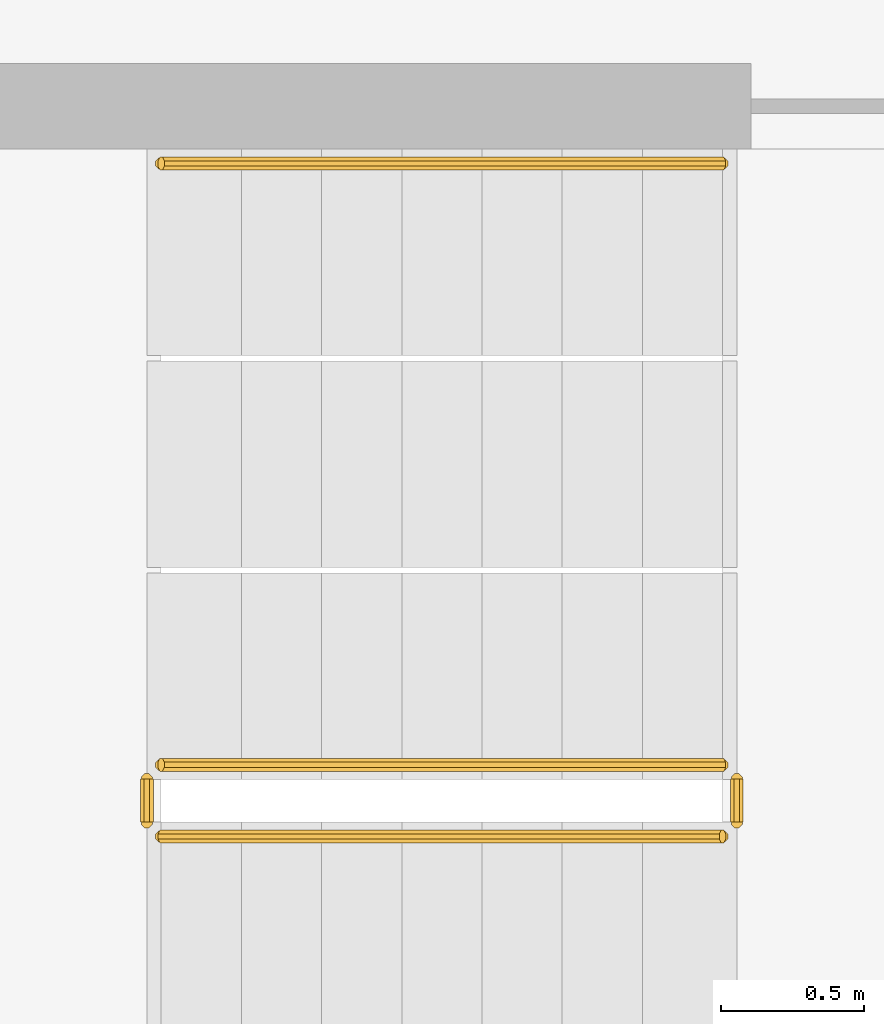
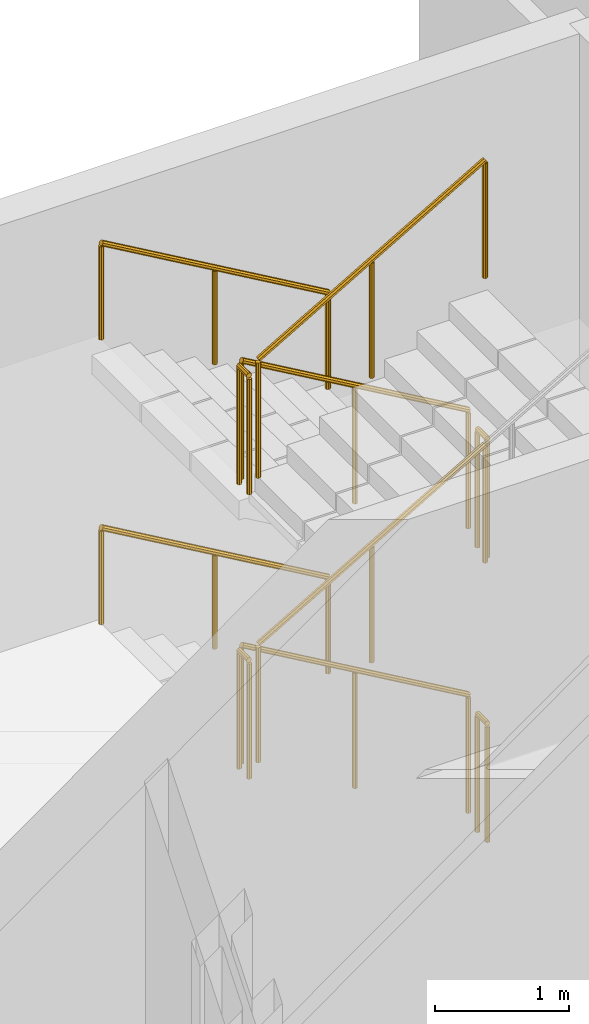
# One storey, part 20 of 30: 10 railings.
"""IFC4 building model written with IfcOpenShell, lengths in metres."""

from ifc_helpers import new_model, si_unit, direction, frame, origin, place, context, subcontext, project, spatial, polyline, outline, extrude, material, type_object, element, save


model = new_model("IFC4")

# Units and contexts
model_context = context("Model", 3, precision=1e-05, world=origin(), true_north=direction((0.0, 1.0)))
body_context = subcontext(model_context, "Body", "Model", "MODEL_VIEW")
ifc_project = project(units=[si_unit("LENGTHUNIT", "METRE"), si_unit("AREAUNIT", "SQUARE_METRE"), si_unit("VOLUMEUNIT", "CUBIC_METRE"), si_unit("PLANEANGLEUNIT", "RADIAN"), si_unit("MASSUNIT", "GRAM", prefix="KILO")], contexts=[model_context])

# Site, building, storey
site_placement = place(None, origin())
site = spatial("IfcSite", under=ifc_project, at=site_placement, CompositionType="ELEMENT")
building_placement = place(site_placement, origin())
building = spatial("IfcBuilding", under=site, at=building_placement, Name="Cormorant Relay Tower", CompositionType="ELEMENT")
storey_placement = place(building_placement, frame((0.0, 0.0, 7.0)))
storey = spatial("IfcBuildingStorey", under=building, at=storey_placement, Name="L01", CompositionType="ELEMENT", Elevation=7.0)

# Railings
ifc_material_1 = material(Name="Steel ASTM A572 Grade 50 (Fy 345 MPa)", Category="steel")
railing_type_1 = type_object("IfcRailingType", Name="Stair guard 1100", PredefinedType="GUARDRAIL", material=ifc_material_1)
railing_1_placement = place(storey_placement, frame((1.60009765625, -18.27490234375, 0.16259765625)))
element("IfcRailing", 1, at=railing_1_placement, inside=storey, type_object=railing_type_1, Name="L01 RK1 stair guard 1", PredefinedType="GUARDRAIL", context=body_context, shape_type="SweptSolid", body=[
    extrude(outline(polyline([(0.022216796875, 0.00927734375), (0.00927734375, 0.022216796875), (-0.00927734375, 0.022216796875), (-0.022216796875, 0.00927734375), (-0.022216796875, -0.00927734375), (-0.00927734375, -0.022216796875), (0.00927734375, -0.022216796875), (0.022216796875, -0.00927734375), (0.022216796875, 0.00927734375)])), frame((0.0, 0.0, 1.076171875), z_axis=(-0.864929249598, 0.0, 0.501893806686), x_axis=(0.0, -1.0, 0.0)), (0.0, 0.0, 1.0), 2.266357421875),
    extrude(outline(polyline([(0.019287109375, 0.008056640625), (0.008056640625, 0.019287109375), (-0.008056640625, 0.019287109375), (-0.019287109375, 0.008056640625), (-0.019287109375, -0.008056640625), (-0.008056640625, -0.019287109375), (0.008056640625, -0.019287109375), (0.019287109375, -0.008056640625), (0.019287109375, 0.008056640625)])), origin(), (0.0, 0.0, 1.0), 1.052001953125),
    extrude(outline(polyline([(0.019287109375, 0.008056640625), (0.008056640625, 0.019287109375), (-0.008056640625, 0.019287109375), (-0.019287109375, 0.008056640625), (-0.019287109375, -0.008056640625), (-0.008056640625, -0.019287109375), (0.008056640625, -0.019287109375), (0.019287109375, -0.008056640625), (0.019287109375, 0.008056640625)])), frame((-0.97998046875, 0.0, 0.56884765625)), (0.0, 0.0, 1.0), 1.052001953125),
    extrude(outline(polyline([(0.019287109375, 0.008056640625), (0.008056640625, 0.019287109375), (-0.008056640625, 0.019287109375), (-0.019287109375, 0.008056640625), (-0.019287109375, -0.008056640625), (-0.008056640625, -0.019287109375), (0.008056640625, -0.019287109375), (0.019287109375, -0.008056640625), (0.019287109375, 0.008056640625)])), frame((-1.960205078125, 0.0, 1.137451171875)), (0.0, 0.0, 1.0), 1.052001953125),
])
railing_2_placement = place(storey_placement, frame((-0.409912109375, -18.324951171875, 1.300048828125)))
element("IfcRailing", 2, at=railing_2_placement, inside=storey, type_object=railing_type_1, Name="L01 RK1 stair guard 2", PredefinedType="GUARDRAIL", context=body_context, shape_type="SweptSolid", body=[
    extrude(outline(polyline([(0.022216796875, 0.00927734375), (0.00927734375, 0.022216796875), (-0.00927734375, 0.022216796875), (-0.022216796875, 0.00927734375), (-0.022216796875, -0.00927734375), (-0.00927734375, -0.022216796875), (0.00927734375, -0.022216796875), (0.022216796875, -0.00927734375), (0.022216796875, 0.00927734375)])), frame((0.0, 0.0, 1.076171875), z_axis=(0.0, -1.0, 0.0), x_axis=(1.0, 0.0, 0.0)), (0.0, 0.0, 1.0), 0.150146484375),
    extrude(outline(polyline([(0.019287109375, 0.008056640625), (0.008056640625, 0.019287109375), (-0.008056640625, 0.019287109375), (-0.019287109375, 0.008056640625), (-0.019287109375, -0.008056640625), (-0.008056640625, -0.019287109375), (0.008056640625, -0.019287109375), (0.019287109375, -0.008056640625), (0.019287109375, 0.008056640625)])), origin(), (0.0, 0.0, 1.0), 1.052001953125),
    extrude(outline(polyline([(0.019287109375, 0.008056640625), (0.008056640625, 0.019287109375), (-0.008056640625, 0.019287109375), (-0.019287109375, 0.008056640625), (-0.019287109375, -0.008056640625), (-0.008056640625, -0.019287109375), (0.008056640625, -0.019287109375), (0.019287109375, -0.008056640625), (0.019287109375, 0.008056640625)])), frame((0.0, -0.150146484375, 0.0)), (0.0, 0.0, 1.0), 1.052001953125),
])
railing_3_placement = place(storey_placement, frame((-0.360107421875, -18.52490234375, 1.46240234375)))
element("IfcRailing", 3, at=railing_3_placement, inside=storey, type_object=railing_type_1, Name="L01 RK1 stair guard 3", PredefinedType="GUARDRAIL", context=body_context, shape_type="SweptSolid", body=[
    extrude(outline(polyline([(0.022216796875, 0.00927734375), (0.00927734375, 0.022216796875), (-0.00927734375, 0.022216796875), (-0.022216796875, 0.00927734375), (-0.022216796875, -0.00927734375), (-0.00927734375, -0.022216796875), (0.00927734375, -0.022216796875), (0.022216796875, -0.00927734375), (0.022216796875, 0.00927734375)])), frame((0.0, 0.0, 1.076171875), z_axis=(0.864882484384, 0.0, 0.50197438999), x_axis=(0.0, 1.0, 0.0)), (0.0, 0.0, 1.0), 2.266357421875),
    extrude(outline(polyline([(0.019287109375, 0.008056640625), (0.008056640625, 0.019287109375), (-0.008056640625, 0.019287109375), (-0.019287109375, 0.008056640625), (-0.019287109375, -0.008056640625), (-0.008056640625, -0.019287109375), (0.008056640625, -0.019287109375), (0.019287109375, -0.008056640625), (0.019287109375, 0.008056640625)])), origin(), (0.0, 0.0, 1.0), 1.052001953125),
    extrude(outline(polyline([(0.019287109375, 0.008056640625), (0.008056640625, 0.019287109375), (-0.008056640625, 0.019287109375), (-0.019287109375, 0.008056640625), (-0.019287109375, -0.008056640625), (-0.008056640625, -0.019287109375), (0.008056640625, -0.019287109375), (0.019287109375, -0.008056640625), (0.019287109375, 0.008056640625)])), frame((0.97998046875, 0.0, 0.56884765625)), (0.0, 0.0, 1.0), 1.052001953125),
    extrude(outline(polyline([(0.019287109375, 0.008056640625), (0.008056640625, 0.019287109375), (-0.008056640625, 0.019287109375), (-0.019287109375, 0.008056640625), (-0.019287109375, -0.008056640625), (-0.008056640625, -0.019287109375), (0.008056640625, -0.019287109375), (0.019287109375, -0.008056640625), (0.019287109375, 0.008056640625)])), frame((1.960205078125, 0.0, 1.1376953125)), (0.0, 0.0, 1.0), 1.052001953125),
])
railing_4_placement = place(storey_placement, frame((1.64990234375, -18.324951171875, 2.60009765625)))
element("IfcRailing", 4, at=railing_4_placement, inside=storey, type_object=railing_type_1, Name="L01 RK1 stair guard 4", PredefinedType="GUARDRAIL", context=body_context, shape_type="SweptSolid", body=[
    extrude(outline(polyline([(0.022216796875, 0.00927734375), (0.00927734375, 0.022216796875), (-0.00927734375, 0.022216796875), (-0.022216796875, 0.00927734375), (-0.022216796875, -0.00927734375), (-0.00927734375, -0.022216796875), (0.00927734375, -0.022216796875), (0.022216796875, -0.00927734375), (0.022216796875, 0.00927734375)])), frame((0.0, 0.0, 1.076171875), z_axis=(0.0, -1.0, 0.0), x_axis=(1.0, 0.0, 0.0)), (0.0, 0.0, 1.0), 0.150146484375),
    extrude(outline(polyline([(0.019287109375, 0.008056640625), (0.008056640625, 0.019287109375), (-0.008056640625, 0.019287109375), (-0.019287109375, 0.008056640625), (-0.019287109375, -0.008056640625), (-0.008056640625, -0.019287109375), (0.008056640625, -0.019287109375), (0.019287109375, -0.008056640625), (0.019287109375, 0.008056640625)])), origin(), (0.0, 0.0, 1.0), 1.052001953125),
    extrude(outline(polyline([(0.019287109375, 0.008056640625), (0.008056640625, 0.019287109375), (-0.008056640625, 0.019287109375), (-0.019287109375, 0.008056640625), (-0.019287109375, -0.008056640625), (-0.008056640625, -0.019287109375), (0.008056640625, -0.019287109375), (0.019287109375, -0.008056640625), (0.019287109375, 0.008056640625)])), frame((0.0, -0.150146484375, 0.0)), (0.0, 0.0, 1.0), 1.052001953125),
])
railing_5_placement = place(storey_placement, frame((1.60009765625, -18.27490234375, 2.762451171875)))
element("IfcRailing", 5, at=railing_5_placement, inside=storey, type_object=railing_type_1, Name="L01 RK1 stair guard 5", PredefinedType="GUARDRAIL", context=body_context, shape_type="SweptSolid", body=[
    extrude(outline(polyline([(0.022216796875, 0.00927734375), (0.00927734375, 0.022216796875), (-0.00927734375, 0.022216796875), (-0.022216796875, 0.00927734375), (-0.022216796875, -0.00927734375), (-0.00927734375, -0.022216796875), (0.00927734375, -0.022216796875), (0.022216796875, -0.00927734375), (0.022216796875, 0.00927734375)])), frame((0.0, 0.0, 1.076171875), z_axis=(-0.864929249598, 0.0, 0.501893806686), x_axis=(0.0, -1.0, 0.0)), (0.0, 0.0, 1.0), 2.266357421875),
    extrude(outline(polyline([(0.019287109375, 0.008056640625), (0.008056640625, 0.019287109375), (-0.008056640625, 0.019287109375), (-0.019287109375, 0.008056640625), (-0.019287109375, -0.008056640625), (-0.008056640625, -0.019287109375), (0.008056640625, -0.019287109375), (0.019287109375, -0.008056640625), (0.019287109375, 0.008056640625)])), origin(), (0.0, 0.0, 1.0), 1.052001953125),
    extrude(outline(polyline([(0.019287109375, 0.008056640625), (0.008056640625, 0.019287109375), (-0.008056640625, 0.019287109375), (-0.019287109375, 0.008056640625), (-0.019287109375, -0.008056640625), (-0.008056640625, -0.019287109375), (0.008056640625, -0.019287109375), (0.019287109375, -0.008056640625), (0.019287109375, 0.008056640625)])), frame((-0.97998046875, 0.0, 0.56884765625)), (0.0, 0.0, 1.0), 1.052001953125),
    extrude(outline(polyline([(0.019287109375, 0.008056640625), (0.008056640625, 0.019287109375), (-0.008056640625, 0.019287109375), (-0.019287109375, 0.008056640625), (-0.019287109375, -0.008056640625), (-0.008056640625, -0.019287109375), (0.008056640625, -0.019287109375), (0.019287109375, -0.008056640625), (0.019287109375, 0.008056640625)])), frame((-1.960205078125, 0.0, 1.137451171875)), (0.0, 0.0, 1.0), 1.052001953125),
])
railing_6_placement = place(storey_placement, frame((-0.409912109375, -18.324951171875, 3.89990234375)))
element("IfcRailing", 6, at=railing_6_placement, inside=storey, type_object=railing_type_1, Name="L01 RK1 stair guard 6", PredefinedType="GUARDRAIL", context=body_context, shape_type="SweptSolid", body=[
    extrude(outline(polyline([(0.022216796875, 0.00927734375), (0.00927734375, 0.022216796875), (-0.00927734375, 0.022216796875), (-0.022216796875, 0.00927734375), (-0.022216796875, -0.00927734375), (-0.00927734375, -0.022216796875), (0.00927734375, -0.022216796875), (0.022216796875, -0.00927734375), (0.022216796875, 0.00927734375)])), frame((0.0, 0.0, 1.076171875), z_axis=(0.0, -1.0, 0.0), x_axis=(1.0, 0.0, 0.0)), (0.0, 0.0, 1.0), 0.150146484375),
    extrude(outline(polyline([(0.019287109375, 0.008056640625), (0.008056640625, 0.019287109375), (-0.008056640625, 0.019287109375), (-0.019287109375, 0.008056640625), (-0.019287109375, -0.008056640625), (-0.008056640625, -0.019287109375), (0.008056640625, -0.019287109375), (0.019287109375, -0.008056640625), (0.019287109375, 0.008056640625)])), origin(), (0.0, 0.0, 1.0), 1.052001953125),
    extrude(outline(polyline([(0.019287109375, 0.008056640625), (0.008056640625, 0.019287109375), (-0.008056640625, 0.019287109375), (-0.019287109375, 0.008056640625), (-0.019287109375, -0.008056640625), (-0.008056640625, -0.019287109375), (0.008056640625, -0.019287109375), (0.019287109375, -0.008056640625), (0.019287109375, 0.008056640625)])), frame((0.0, -0.150146484375, 0.0)), (0.0, 0.0, 1.0), 1.052001953125),
])
railing_7_placement = place(storey_placement, frame((-0.360107421875, -18.52490234375, 4.0625)))
element("IfcRailing", 7, at=railing_7_placement, inside=storey, type_object=railing_type_1, Name="L01 RK1 stair guard 7", PredefinedType="GUARDRAIL", context=body_context, shape_type="SweptSolid", body=[
    extrude(outline(polyline([(0.022216796875, 0.00927734375), (0.00927734375, 0.022216796875), (-0.00927734375, 0.022216796875), (-0.022216796875, 0.00927734375), (-0.022216796875, -0.00927734375), (-0.00927734375, -0.022216796875), (0.00927734375, -0.022216796875), (0.022216796875, -0.00927734375), (0.022216796875, 0.00927734375)])), frame((0.0, 0.0, 1.076171875), z_axis=(0.864929249598, 0.0, 0.501893806686), x_axis=(0.0, 1.0, 0.0)), (0.0, 0.0, 1.0), 2.266357421875),
    extrude(outline(polyline([(0.019287109375, 0.008056640625), (0.008056640625, 0.019287109375), (-0.008056640625, 0.019287109375), (-0.019287109375, 0.008056640625), (-0.019287109375, -0.008056640625), (-0.008056640625, -0.019287109375), (0.008056640625, -0.019287109375), (0.019287109375, -0.008056640625), (0.019287109375, 0.008056640625)])), origin(), (0.0, 0.0, 1.0), 1.052001953125),
    extrude(outline(polyline([(0.019287109375, 0.008056640625), (0.008056640625, 0.019287109375), (-0.008056640625, 0.019287109375), (-0.019287109375, 0.008056640625), (-0.019287109375, -0.008056640625), (-0.008056640625, -0.019287109375), (0.008056640625, -0.019287109375), (0.019287109375, -0.008056640625), (0.019287109375, 0.008056640625)])), frame((0.97998046875, 0.0, 0.56884765625)), (0.0, 0.0, 1.0), 1.052001953125),
    extrude(outline(polyline([(0.019287109375, 0.008056640625), (0.008056640625, 0.019287109375), (-0.008056640625, 0.019287109375), (-0.019287109375, 0.008056640625), (-0.019287109375, -0.008056640625), (-0.008056640625, -0.019287109375), (0.008056640625, -0.019287109375), (0.019287109375, -0.008056640625), (0.019287109375, 0.008056640625)])), frame((1.960205078125, 0.0, 1.137451171875)), (0.0, 0.0, 1.0), 1.052001953125),
])
railing_8_placement = place(storey_placement, frame((1.64990234375, -18.324951171875, 0.0)))
element("IfcRailing", 8, at=railing_8_placement, inside=storey, type_object=railing_type_1, Name="L01 RK1 stair guard 8", PredefinedType="GUARDRAIL", context=body_context, shape_type="SweptSolid", body=[
    extrude(outline(polyline([(0.022216796875, 0.00927734375), (0.00927734375, 0.022216796875), (-0.00927734375, 0.022216796875), (-0.022216796875, 0.00927734375), (-0.022216796875, -0.00927734375), (-0.00927734375, -0.022216796875), (0.00927734375, -0.022216796875), (0.022216796875, -0.00927734375), (0.022216796875, 0.00927734375)])), frame((0.0, 0.0, 1.076171875), z_axis=(0.0, -1.0, 0.0), x_axis=(1.0, 0.0, 0.0)), (0.0, 0.0, 1.0), 0.150146484375),
    extrude(outline(polyline([(0.019287109375, 0.008056640625), (0.008056640625, 0.019287109375), (-0.008056640625, 0.019287109375), (-0.019287109375, 0.008056640625), (-0.019287109375, -0.008056640625), (-0.008056640625, -0.019287109375), (0.008056640625, -0.019287109375), (0.019287109375, -0.008056640625), (0.019287109375, 0.008056640625)])), origin(), (0.0, 0.0, 1.0), 1.052001953125),
    extrude(outline(polyline([(0.019287109375, 0.008056640625), (0.008056640625, 0.019287109375), (-0.008056640625, 0.019287109375), (-0.019287109375, 0.008056640625), (-0.019287109375, -0.008056640625), (-0.008056640625, -0.019287109375), (0.008056640625, -0.019287109375), (0.019287109375, -0.008056640625), (0.019287109375, 0.008056640625)])), frame((0.0, -0.150146484375, 0.0)), (0.0, 0.0, 1.0), 1.052001953125),
])
ifc_material_2 = material(Name="Steel ASTM A572 Grade 50 (Fy 345 MPa)", Category="steel")
railing_type_2 = type_object("IfcRailingType", Name="Stair handrail 900", PredefinedType="HANDRAIL", material=ifc_material_2)
for number, where, name in (
    (9, (1.60009765625, -16.175048828125, 0.16259765625), "L01 RK1 stair handrail 1"),
    (10, (1.60009765625, -16.175048828125, 2.762451171875), "L01 RK1 stair handrail 3"),
):
    element("IfcRailing", number, at=place(storey_placement, frame(where)), inside=storey, type_object=railing_type_2, Name=name, PredefinedType="HANDRAIL", context=body_context, shape_type="SweptSolid", body=[
        extrude(outline(polyline([(0.022216796875, 0.00927734375), (0.00927734375, 0.022216796875), (-0.00927734375, 0.022216796875), (-0.022216796875, 0.00927734375), (-0.022216796875, -0.00927734375), (-0.00927734375, -0.022216796875), (0.00927734375, -0.022216796875), (0.022216796875, -0.00927734375), (0.022216796875, 0.00927734375)])), frame((0.0, 0.0, 0.8759765625), z_axis=(-0.864929249598, 0.0, 0.501893806686), x_axis=(0.0, -1.0, 0.0)), (0.0, 0.0, 1.0), 2.266357421875),
        extrude(outline(polyline([(0.019287109375, 0.008056640625), (0.008056640625, 0.019287109375), (-0.008056640625, 0.019287109375), (-0.019287109375, 0.008056640625), (-0.019287109375, -0.008056640625), (-0.008056640625, -0.019287109375), (0.008056640625, -0.019287109375), (0.019287109375, -0.008056640625), (0.019287109375, 0.008056640625)])), origin(), (0.0, 0.0, 1.0), 0.851806640625),
        extrude(outline(polyline([(0.019287109375, 0.008056640625), (0.008056640625, 0.019287109375), (-0.008056640625, 0.019287109375), (-0.019287109375, 0.008056640625), (-0.019287109375, -0.008056640625), (-0.008056640625, -0.019287109375), (0.008056640625, -0.019287109375), (0.019287109375, -0.008056640625), (0.019287109375, 0.008056640625)])), frame((-0.97998046875, 0.0, 0.56884765625)), (0.0, 0.0, 1.0), 0.851806640625),
        extrude(outline(polyline([(0.019287109375, 0.008056640625), (0.008056640625, 0.019287109375), (-0.008056640625, 0.019287109375), (-0.019287109375, 0.008056640625), (-0.019287109375, -0.008056640625), (-0.008056640625, -0.019287109375), (0.008056640625, -0.019287109375), (0.019287109375, -0.008056640625), (0.019287109375, 0.008056640625)])), frame((-1.960205078125, 0.0, 1.137451171875)), (0.0, 0.0, 1.0), 0.851806640625),
    ])

save(model, "model.ifc")
